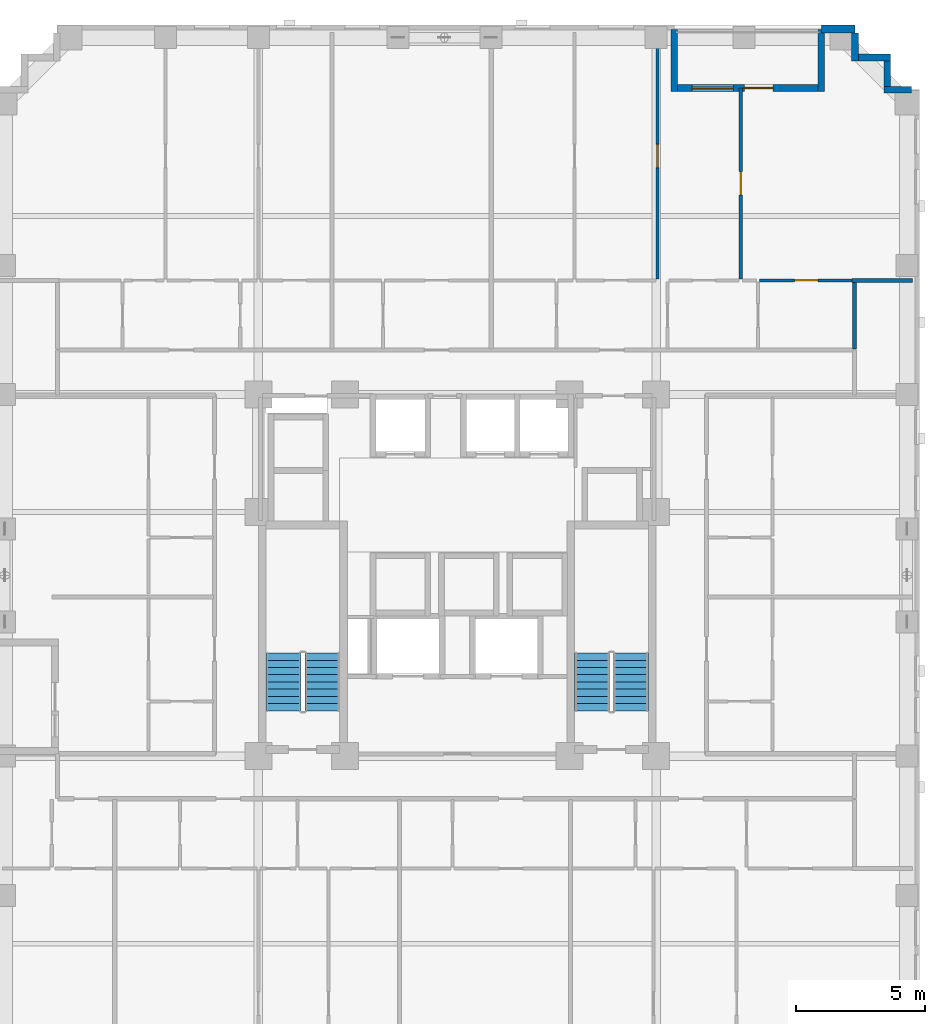
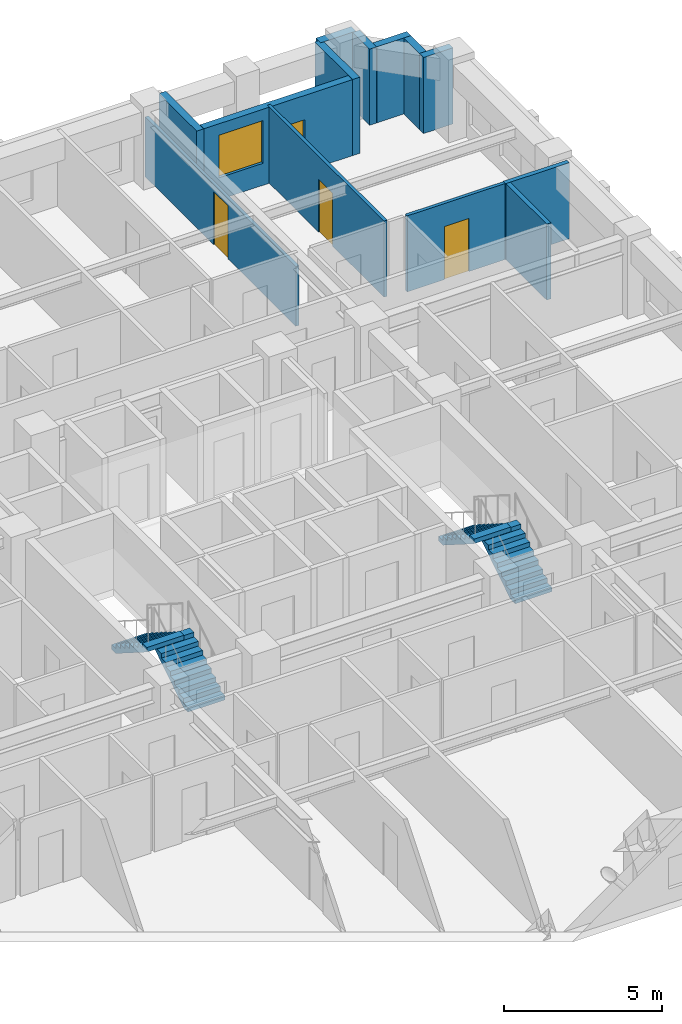
# One storey, part 8 of 12: 13 walls, 4 doors, 4 stair flights, 1 window, 5 openings, 2 elements without a shape of their own.
"""IFC4 building model written with IfcOpenShell, lengths in metres."""

from ifc_helpers import new_model, si_unit, derived_unit, direction, frame, frame_2d, origin, place, context, subcontext, project, spatial, polyline, rectangle, outline, extrude, material, layer, layer_set, type_object, element, fill, aggregate, save


model = new_model("IFC4")

# Units and contexts
model_context = context("Model", 3, precision=1e-05, world=origin(), true_north=direction((0.0, 1.0)))
body_context = subcontext(model_context, "Body", "Model", "MODEL_VIEW")
ifc_project = project(units=[si_unit("LENGTHUNIT", "METRE"), si_unit("AREAUNIT", "SQUARE_METRE"), si_unit("VOLUMEUNIT", "CUBIC_METRE"), si_unit("PLANEANGLEUNIT", "RADIAN"), si_unit("MASSUNIT", "GRAM", prefix="KILO"), derived_unit("THERMALTRANSMITTANCEUNIT", [(si_unit("MASSUNIT", "GRAM", prefix="KILO"), 1), (si_unit("TIMEUNIT", "SECOND"), -3), (si_unit("THERMODYNAMICTEMPERATUREUNIT", "KELVIN"), -1)])], contexts=[model_context])

# Site, building, storey
site_placement = place(None, origin())
site = spatial("IfcSite", under=ifc_project, at=site_placement, CompositionType="ELEMENT")
building_placement = place(site_placement, origin())
building = spatial("IfcBuilding", under=site, at=building_placement, Name="Korrvale Station Residences", CompositionType="ELEMENT")
storey_placement = place(building_placement, frame((0.0, 0.0, 87.89990234375)))
storey = spatial("IfcBuildingStorey", under=building, at=storey_placement, Name="L24", CompositionType="ELEMENT", Elevation=87.89990234375)

# Wall
ifc_material_1 = material(Name="Precast concrete C45/55", Category="concrete")
ifc_layer_1 = layer(ifc_material_1, 0.260009765625, Name="Precast concrete C45/55")
ifc_layer_set_1 = layer_set([ifc_layer_1], Name="Precast concrete C45/55")
wall_type_1 = type_object("IfcWallType", Name="WAL-EXT-LOG260", PredefinedType="SOLIDWALL", material=ifc_layer_set_1)
wall_1_placement = place(storey_placement, frame((33.89990234375, 43.139892578125, 0.0), z_axis=(0.0, 0.0, 1.0), x_axis=(0.0, -1.0, 0.0)))
element("IfcWall", 1, at=wall_1_placement, inside=storey, type_object=wall_type_1, Name="L24 Recessed Loggia Wall BAL-L24-N1-L", PredefinedType="SOLIDWALL", context=body_context, shape_type="SweptSolid", body=[
    extrude(rectangle(XDim=2.39990234375, YDim=0.260009765625, at=frame_2d((1.199951171875, 0.0))), origin(), (0.0, 0.0, 1.0), 2.940185546875),
])

# Wall, openings, door, window
wall_2_placement = place(storey_placement, frame((34.033935546875, 40.8701171875, 0.0), z_axis=(0.0, 0.0, 1.0), x_axis=(1.0, 0.0, 0.0)))
wall_2 = element("IfcWall", 2, at=wall_2_placement, inside=storey, type_object=wall_type_1, Name="L24 Recessed Loggia Wall BAL-L24-N1-B", PredefinedType="SOLIDWALL", context=body_context, shape_type="SweptSolid", body=[
    extrude(rectangle(XDim=5.43212890625, YDim=0.260009765625, at=frame_2d((2.716064453125, 0.0))), origin(), (0.0, 0.0, 1.0), 2.940185546875),
])
opening_1_placement = place(wall_2_placement, frame((2.5859375, 0.0, 0.0)))
opening_1 = element("IfcOpeningElement", 3, at=opening_1_placement, cuts=wall_2, Name="Opening BD-01", PredefinedType="OPENING", context=body_context, shape_type="SweptSolid", body=[
    extrude(rectangle(XDim=1.10009765625, YDim=2.0, at=frame_2d((0.550048828125, 1.0))), frame((0.0, 0.14013671875, 0.0), z_axis=(0.0, -1.0, 0.0), x_axis=(1.0, 0.0, 0.0)), (0.0, 0.0, 1.0), 0.280029296875),
])
opening_2_placement = place(wall_2_placement, frame((0.55810546875, 0.0, 0.85009765625)))
opening_2 = element("IfcOpeningElement", 4, at=opening_2_placement, cuts=wall_2, Name="Opening W-05", PredefinedType="OPENING", context=body_context, shape_type="SweptSolid", body=[
    extrude(rectangle(XDim=1.60009765625, YDim=1.64990234375, at=frame_2d((0.800048828125, 0.824951171875))), frame((0.0, 0.14013671875, 0.0), z_axis=(0.0, -1.0, 0.0), x_axis=(1.0, 0.0, 0.0)), (0.0, 0.0, 1.0), 0.280029296875),
])
ifc_material_2 = material(Name="Exterior thermally broken aluminium glazed balcony door", Category="aluminium")
door_type_1 = type_object("IfcDoorType", Name="DR-EXT-BAL", OperationType="NOTDEFINED", PredefinedType="DOOR", material=ifc_material_2)
door_1_placement = place(opening_1_placement, origin())
door_1 = element("IfcDoor", 5, at=door_1_placement, inside=storey, type_object=door_type_1, Name="L24 Loggia Balcony Door BAL-L24-N1", OperationType="SINGLE_SWING_RIGHT", OverallHeight=2.0, OverallWidth=1.10009765625, PredefinedType="DOOR", context=body_context, shape_type="SweptSolid", body=[
    extrude(rectangle(XDim=1.10009765625, YDim=2.0, at=frame_2d((0.550048828125, 1.0))), frame((0.0, 0.02490234375, 0.0), z_axis=(0.0, -1.0, 0.0), x_axis=(1.0, 0.0, 0.0)), (0.0, 0.0, 1.0), 0.050048828125),
])
fill(opening_1, door_1)
ifc_material_3 = material(Name="Thermally broken aluminium frame with triple low-e glazing", Category="aluminium")
window_type = type_object("IfcWindowType", Name="WIN-W05", PartitioningType="DOUBLE_PANEL_VERTICAL", PredefinedType="WINDOW", material=ifc_material_3)
window_placement = place(opening_2_placement, origin())
window = element("IfcWindow", 6, at=window_placement, inside=storey, type_object=window_type, Name="L24 Punched Window 18", OverallHeight=1.64990234375, OverallWidth=1.60009765625, PartitioningType="DOUBLE_PANEL_VERTICAL", PredefinedType="WINDOW", context=body_context, shape_type="SweptSolid", body=[
    extrude(rectangle(XDim=1.60009765625, YDim=1.64990234375, at=frame_2d((0.800048828125, 0.824951171875))), frame((0.0, 0.030029296875, 0.0), z_axis=(0.0, -1.0, 0.0), x_axis=(1.0, 0.0, 0.0)), (0.0, 0.0, 1.0), 0.06005859375),
])
fill(opening_2, window)

# Walls
wall_3_placement = place(storey_placement, frame((39.60009765625, 40.739990234375, 0.0), z_axis=(0.0, 0.0, 1.0), x_axis=(0.0, 1.0, 0.0)))
element("IfcWall", 7, at=wall_3_placement, inside=storey, type_object=wall_type_1, Name="L24 Recessed Loggia Wall BAL-L24-N1-R", PredefinedType="SOLIDWALL", context=body_context, shape_type="SweptSolid", body=[
    extrude(rectangle(XDim=2.39990234375, YDim=0.260009765625, at=frame_2d((1.199951171875, 0.0))), origin(), (0.0, 0.0, 1.0), 2.940185546875),
])
wall_4_placement = place(storey_placement, frame((40.89990234375, 42.998046875, 0.0), z_axis=(0.0, 0.0, 1.0), x_axis=(0.0, -1.0, 0.0)))
element("IfcWall", 8, at=wall_4_placement, inside=storey, type_object=wall_type_1, Name="L24 Serrated Corner Precast Step NE-1", PredefinedType="SOLIDWALL", context=body_context, shape_type="SweptSolid", body=[
    extrude(rectangle(XDim=1.078125, YDim=0.260009765625, at=frame_2d((0.5390625, 0.0))), origin(), (0.0, 0.0, 1.0), 2.940185546875),
])
wall_5_placement = place(storey_placement, frame((41.031982421875, 42.050048828125, 0.0), z_axis=(0.0, 0.0, 1.0), x_axis=(1.0, 0.0, 0.0)))
element("IfcWall", 9, at=wall_5_placement, inside=storey, type_object=wall_type_1, Name="L24 Serrated Corner Precast Step NE-2", PredefinedType="SOLIDWALL", context=body_context, shape_type="SweptSolid", body=[
    extrude(rectangle(XDim=1.248046875, YDim=0.260009765625, at=frame_2d((0.6240234375, 0.0))), origin(), (0.0, 0.0, 1.0), 2.940185546875),
])
wall_6_placement = place(storey_placement, frame((42.14990234375, 41.91796875, 0.0), z_axis=(0.0, 0.0, 1.0), x_axis=(0.0, -1.0, 0.0)))
element("IfcWall", 10, at=wall_6_placement, inside=storey, type_object=wall_type_1, Name="L24 Serrated Corner Precast Step NE-3", PredefinedType="SOLIDWALL", context=body_context, shape_type="SweptSolid", body=[
    extrude(rectangle(XDim=0.986083984375, YDim=0.260009765625, at=frame_2d((0.4931640625, 0.0))), origin(), (0.0, 0.0, 1.0), 2.940185546875),
])
wall_7_placement = place(storey_placement, frame((42.02001953125, 40.800048828125, 0.0), z_axis=(0.0, 0.0, 1.0), x_axis=(1.0, 0.0, 0.0)))
element("IfcWall", 11, at=wall_7_placement, inside=storey, type_object=wall_type_1, Name="L24 Serrated Corner Precast Step NE-4", PredefinedType="SOLIDWALL", context=body_context, shape_type="SweptSolid", body=[
    extrude(rectangle(XDim=1.077880859375, YDim=0.260009765625, at=frame_2d((0.5390625, 0.0))), origin(), (0.0, 0.0, 1.0), 2.940185546875),
])
ifc_layer_2 = layer(ifc_material_1, 0.300048828125, Name="Precast concrete C45/55")
ifc_layer_set_2 = layer_set([ifc_layer_2], Name="Precast concrete C45/55")
wall_type_2 = type_object("IfcWallType", Name="WAL-EXT-PC300", PredefinedType="SOLIDWALL", material=ifc_layer_set_2)
wall_8_placement = place(storey_placement, frame((39.60009765625, 43.14990234375, 0.0), z_axis=(0.0, 0.0, 1.0), x_axis=(1.0, 0.0, 0.0)))
element("IfcWall", 12, at=wall_8_placement, inside=storey, type_object=wall_type_2, Name="L24 North Exterior Precast Wall 2", PredefinedType="SOLIDWALL", context=body_context, shape_type="SweptSolid", body=[
    extrude(rectangle(XDim=1.2998046875, YDim=0.300048828125, at=frame_2d((0.64990234375, 0.0))), origin(), (0.0, 0.0, 1.0), 2.940185546875),
])

# Wall, opening, door
ifc_material_4 = material(Name="Acoustic steel-stud gypsum board partition", Category="steel")
ifc_layer_3 = layer(ifc_material_4, 0.1201171875, Name="Acoustic steel-stud gypsum board partition")
ifc_layer_set_3 = layer_set([ifc_layer_3], Name="Acoustic steel-stud gypsum board partition")
wall_type_3 = type_object("IfcWallType", Name="WAL-PART-125", PredefinedType="PARTITIONING", material=ifc_layer_set_3)
wall_9_placement = place(storey_placement, frame((37.205078125, 33.419921875, 0.0), z_axis=(0.0, 0.0, 1.0), x_axis=(1.0, 0.0, 0.0)))
wall_9 = element("IfcWall", 13, at=wall_9_placement, inside=storey, type_object=wall_type_3, Name="L24 Suite Partition U07-H37", PredefinedType="PARTITIONING", context=body_context, shape_type="SweptSolid", body=[
    extrude(rectangle(XDim=3.614990234375, YDim=0.1201171875, at=frame_2d((1.8076171875, 0.0))), origin(), (0.0, 0.0, 1.0), 2.940185546875),
])
opening_3_placement = place(wall_9_placement, frame((1.35791015625, 0.0, 0.0)))
opening_3 = element("IfcOpeningElement", 14, at=opening_3_placement, cuts=wall_9, Name="Opening DI-900", PredefinedType="OPENING", context=body_context, shape_type="SweptSolid", body=[
    extrude(rectangle(XDim=0.89990234375, YDim=2.050048828125, at=frame_2d((0.449951171875, 1.02490234375))), frame((0.0, 0.070068359375, 0.0), z_axis=(0.0, -1.0, 0.0), x_axis=(1.0, 0.0, 0.0)), (0.0, 0.0, 1.0), 0.14013671875),
])
ifc_material_5 = material(Name="Painted solid-core timber interior room door", Category="wood")
door_type_2 = type_object("IfcDoorType", Name="DR-INT-900", OperationType="NOTDEFINED", PredefinedType="DOOR", material=ifc_material_5)
door_2_placement = place(opening_3_placement, origin())
door_2 = element("IfcDoor", 15, at=door_2_placement, inside=storey, type_object=door_type_2, Name="L24 Studio Apartment L24-U07 Utility and Laundry Room Door", OperationType="SINGLE_SWING_LEFT", OverallHeight=2.050048828125, OverallWidth=0.89990234375, PredefinedType="DOOR", context=body_context, shape_type="SweptSolid", body=[
    extrude(rectangle(XDim=0.89990234375, YDim=2.050048828125, at=frame_2d((0.449951171875, 1.02490234375))), frame((0.0, 0.02490234375, 0.0), z_axis=(0.0, -1.0, 0.0), x_axis=(1.0, 0.0, 0.0)), (0.0, 0.0, 1.0), 0.050048828125),
])
fill(opening_3, door_2)

wall_10_placement = place(storey_placement, frame((33.260009765625, 33.47998046875, 0.0), z_axis=(0.0, 0.0, 1.0), x_axis=(0.0, 1.0, 0.0)))
wall_10 = element("IfcWall", 16, at=wall_10_placement, inside=storey, type_object=wall_type_3, Name="L24 Suite Partition U07-V56", PredefinedType="PARTITIONING", context=body_context, shape_type="SweptSolid", body=[
    extrude(rectangle(XDim=9.5400390625, YDim=0.1201171875, at=frame_2d((4.77001953125, 0.0))), origin(), (0.0, 0.0, 1.0), 2.30908203125),
])
opening_4_placement = place(wall_10_placement, frame((4.304931640625, 0.0, 0.0)))
opening_4 = element("IfcOpeningElement", 17, at=opening_4_placement, cuts=wall_10, Name="Opening DI-900", PredefinedType="OPENING", context=body_context, shape_type="SweptSolid", body=[
    extrude(rectangle(XDim=0.89990234375, YDim=2.050048828125, at=frame_2d((0.449951171875, 1.02490234375))), frame((0.0, 0.070068359375, 0.0), z_axis=(0.0, -1.0, 0.0), x_axis=(1.0, 0.0, 0.0)), (0.0, 0.0, 1.0), 0.14013671875),
])
door_3_placement = place(opening_4_placement, origin())
door_3 = element("IfcDoor", 18, at=door_3_placement, inside=storey, type_object=door_type_2, Name="L24 Studio Apartment L24-U07 Formal Dining Room Door", OperationType="SINGLE_SWING_LEFT", OverallHeight=2.050048828125, OverallWidth=0.89990234375, PredefinedType="DOOR", context=body_context, shape_type="SweptSolid", body=[
    extrude(rectangle(XDim=0.89990234375, YDim=2.050048828125, at=frame_2d((0.449951171875, 1.02490234375))), frame((0.0, 0.02490234375, 0.0), z_axis=(0.0, -1.0, 0.0), x_axis=(1.0, 0.0, 0.0)), (0.0, 0.0, 1.0), 0.050048828125),
])
fill(opening_4, door_3)

wall_11_placement = place(storey_placement, frame((36.47998046875, 33.47998046875, 0.0), z_axis=(0.0, 0.0, 1.0), x_axis=(0.0, 1.0, 0.0)))
wall_11 = element("IfcWall", 19, at=wall_11_placement, inside=storey, type_object=wall_type_3, Name="L24 Suite Partition U07-V67", PredefinedType="PARTITIONING", context=body_context, shape_type="SweptSolid", body=[
    extrude(rectangle(XDim=7.39013671875, YDim=0.1201171875, at=frame_2d((3.695068359375, 0.0))), origin(), (0.0, 0.0, 1.0), 2.940185546875),
])
opening_5_placement = place(wall_11_placement, frame((3.2451171875, 0.0, 0.0)))
opening_5 = element("IfcOpeningElement", 20, at=opening_5_placement, cuts=wall_11, Name="Opening DI-900", PredefinedType="OPENING", context=body_context, shape_type="SweptSolid", body=[
    extrude(rectangle(XDim=0.89990234375, YDim=2.050048828125, at=frame_2d((0.449951171875, 1.02490234375))), frame((0.0, 0.070068359375, 0.0), z_axis=(0.0, -1.0, 0.0), x_axis=(1.0, 0.0, 0.0)), (0.0, 0.0, 1.0), 0.14013671875),
])
door_4_placement = place(opening_5_placement, origin())
door_4 = element("IfcDoor", 21, at=door_4_placement, inside=storey, type_object=door_type_2, Name="L24 Studio Apartment L24-U07 Formal Dining Room Door", OperationType="SINGLE_SWING_RIGHT", OverallHeight=2.050048828125, OverallWidth=0.89990234375, PredefinedType="DOOR", context=body_context, shape_type="SweptSolid", body=[
    extrude(rectangle(XDim=0.89990234375, YDim=2.050048828125, at=frame_2d((0.449951171875, 1.02490234375))), frame((0.0, 0.02490234375, 0.0), z_axis=(0.0, -1.0, 0.0), x_axis=(1.0, 0.0, 0.0)), (0.0, 0.0, 1.0), 0.050048828125),
])
fill(opening_5, door_4)

# Walls
ifc_material_6 = material(Name="Fire-rated twin-stud gypsum and mineral wool shaftwall assembly", Category="gypsum")
ifc_layer_4 = layer(ifc_material_6, 0.159912109375, Name="Fire-rated twin-stud gypsum and mineral wool shaftwall assembly")
ifc_layer_set_4 = layer_set([ifc_layer_4], Name="Fire-rated twin-stud gypsum and mineral wool shaftwall assembly")
wall_type_4 = type_object("IfcWallType", Name="WAL-PART-200", PredefinedType="PARTITIONING", material=ifc_layer_set_4)
wall_12_placement = place(storey_placement, frame((40.780029296875, 33.419921875, 0.0), z_axis=(0.0, 0.0, 1.0), x_axis=(1.0, 0.0, 0.0)))
element("IfcWall", 22, at=wall_12_placement, inside=storey, type_object=wall_type_4, Name="L24 Corner Step Wall U07-R", PredefinedType="PARTITIONING", context=body_context, shape_type="SweptSolid", body=[
    extrude(rectangle(XDim=2.340087890625, YDim=0.159912109375, at=frame_2d((1.169921875, 0.0))), origin(), (0.0, 0.0, 1.0), 2.940185546875),
])
wall_13_placement = place(storey_placement, frame((40.8798828125, 30.760009765625, 0.0), z_axis=(0.0, 0.0, 1.0), x_axis=(0.0, 1.0, 0.0)))
element("IfcWall", 23, at=wall_13_placement, inside=storey, type_object=wall_type_4, Name="L24 Corner Step Cheek U07-R", PredefinedType="PARTITIONING", context=body_context, shape_type="SweptSolid", body=[
    extrude(rectangle(XDim=2.659912109375, YDim=0.159912109375, at=frame_2d((1.330078125, 0.0))), origin(), (0.0, 0.0, 1.0), 2.940185546875),
])

# Stair, stair flights
ifc_material_7 = material(Name="Concrete C50/60", Category="concrete")
stair_type = type_object("IfcStairType", Name="STR-DL-1350-18R-1778", PredefinedType="HALF_TURN_STAIR", material=ifc_material_7)
stair_1_placement = place(storey_placement, origin())
stair_1 = element("IfcStair", 24, at=stair_1_placement, inside=storey, type_object=stair_type, Name="L24 Exit Stair 1", PredefinedType="HALF_TURN_STAIR")
stair_flight_type = type_object("IfcStairFlightType", Name="FLT-DL-1350-18R-1778", PredefinedType="STRAIGHT", material=ifc_material_7)
stair_flight_1_placement = place(storey_placement, frame((20.27490234375, 16.75, 0.0), z_axis=(0.0, 0.0, 1.0), x_axis=(0.0, 1.0, 0.0)))
stair_flight_1 = element("IfcStairFlight", 25, at=stair_flight_1_placement, type_object=stair_flight_type, Name="ST-1 flight 1", NumberOfRisers=9, NumberOfTreads=8, PredefinedType="STRAIGHT", RiserHeight=0.177777778, TreadLength=0.28, context=body_context, shape_type="SweptSolid", body=[
    extrude(outline(polyline([(0.0, 0.0), (0.0, 0.177734375), (0.280029296875, 0.177734375), (0.280029296875, 0.35546875), (0.56005859375, 0.35546875), (0.56005859375, 0.533447265625), (0.840087890625, 0.533447265625), (0.840087890625, 0.711181640625), (1.1201171875, 0.711181640625), (1.1201171875, 0.888916015625), (1.39990234375, 0.888916015625), (1.39990234375, 1.066650390625), (1.679931640625, 1.066650390625), (1.679931640625, 1.244384765625), (1.9599609375, 1.244384765625), (1.9599609375, 1.422119140625), (2.239990234375, 1.422119140625), (2.239990234375, 1.60009765625), (2.239990234375, 1.24462890625), (0.27978515625, 0.0), (0.0, 0.0)])), frame((0.0, 0.675048828125, 0.0), z_axis=(0.0, -1.0, 0.0), x_axis=(1.0, 0.0, 0.0)), (0.0, 0.0, 1.0), 1.35009765625),
])
stair_flight_2_placement = place(storey_placement, frame((18.77490234375, 18.989990234375, 1.60009765625), z_axis=(0.0, 0.0, 1.0), x_axis=(0.0, -1.0, 0.0)))
stair_flight_2 = element("IfcStairFlight", 26, at=stair_flight_2_placement, type_object=stair_flight_type, Name="ST-1 flight 2", NumberOfRisers=9, NumberOfTreads=8, PredefinedType="STRAIGHT", RiserHeight=0.177777778, TreadLength=0.28, context=body_context, shape_type="SweptSolid", body=[
    extrude(outline(polyline([(0.0, 0.0), (0.0, 0.177734375), (0.280029296875, 0.177734375), (0.280029296875, 0.35546875), (0.56005859375, 0.35546875), (0.56005859375, 0.533447265625), (0.840087890625, 0.533447265625), (0.840087890625, 0.711181640625), (1.1201171875, 0.711181640625), (1.1201171875, 0.888916015625), (1.39990234375, 0.888916015625), (1.39990234375, 1.066650390625), (1.679931640625, 1.066650390625), (1.679931640625, 1.244384765625), (1.9599609375, 1.244384765625), (1.9599609375, 1.422119140625), (2.239990234375, 1.422119140625), (2.239990234375, 1.60009765625), (2.239990234375, 1.24462890625), (0.27978515625, 0.0), (0.0, 0.0)])), frame((0.0, 0.675048828125, 0.0), z_axis=(0.0, -1.0, 0.0), x_axis=(1.0, 0.0, 0.0)), (0.0, 0.0, 1.0), 1.35009765625),
])
aggregate(stair_1, [stair_flight_1, stair_flight_2])

stair_2_placement = place(storey_placement, origin())
stair_2 = element("IfcStair", 27, at=stair_2_placement, inside=storey, type_object=stair_type, Name="L24 Exit Stair 2", PredefinedType="HALF_TURN_STAIR")
stair_flight_3_placement = place(storey_placement, frame((32.22509765625, 16.75, 0.0), z_axis=(0.0, 0.0, 1.0), x_axis=(0.0, 1.0, 0.0)))
stair_flight_3 = element("IfcStairFlight", 28, at=stair_flight_3_placement, type_object=stair_flight_type, Name="ST-2 flight 1", NumberOfRisers=9, NumberOfTreads=8, PredefinedType="STRAIGHT", RiserHeight=0.177777778, TreadLength=0.28, context=body_context, shape_type="SweptSolid", body=[
    extrude(outline(polyline([(0.0, 0.0), (0.0, 0.177734375), (0.280029296875, 0.177734375), (0.280029296875, 0.35546875), (0.56005859375, 0.35546875), (0.56005859375, 0.533447265625), (0.840087890625, 0.533447265625), (0.840087890625, 0.711181640625), (1.1201171875, 0.711181640625), (1.1201171875, 0.888916015625), (1.39990234375, 0.888916015625), (1.39990234375, 1.066650390625), (1.679931640625, 1.066650390625), (1.679931640625, 1.244384765625), (1.9599609375, 1.244384765625), (1.9599609375, 1.422119140625), (2.239990234375, 1.422119140625), (2.239990234375, 1.60009765625), (2.239990234375, 1.24462890625), (0.27978515625, 0.0), (0.0, 0.0)])), frame((0.0, 0.675048828125, 0.0), z_axis=(0.0, -1.0, 0.0), x_axis=(1.0, 0.0, 0.0)), (0.0, 0.0, 1.0), 1.35009765625),
])
stair_flight_4_placement = place(storey_placement, frame((30.72509765625, 18.989990234375, 1.60009765625), z_axis=(0.0, 0.0, 1.0), x_axis=(0.0, -1.0, 0.0)))
stair_flight_4 = element("IfcStairFlight", 29, at=stair_flight_4_placement, type_object=stair_flight_type, Name="ST-2 flight 2", NumberOfRisers=9, NumberOfTreads=8, PredefinedType="STRAIGHT", RiserHeight=0.177777778, TreadLength=0.28, context=body_context, shape_type="SweptSolid", body=[
    extrude(outline(polyline([(0.0, 0.0), (0.0, 0.177734375), (0.280029296875, 0.177734375), (0.280029296875, 0.35546875), (0.56005859375, 0.35546875), (0.56005859375, 0.533447265625), (0.840087890625, 0.533447265625), (0.840087890625, 0.711181640625), (1.1201171875, 0.711181640625), (1.1201171875, 0.888916015625), (1.39990234375, 0.888916015625), (1.39990234375, 1.066650390625), (1.679931640625, 1.066650390625), (1.679931640625, 1.244384765625), (1.9599609375, 1.244384765625), (1.9599609375, 1.422119140625), (2.239990234375, 1.422119140625), (2.239990234375, 1.60009765625), (2.239990234375, 1.24462890625), (0.27978515625, 0.0), (0.0, 0.0)])), frame((0.0, 0.675048828125, 0.0), z_axis=(0.0, -1.0, 0.0), x_axis=(1.0, 0.0, 0.0)), (0.0, 0.0, 1.0), 1.35009765625),
])
aggregate(stair_2, [stair_flight_3, stair_flight_4])

save(model, "model.ifc")
